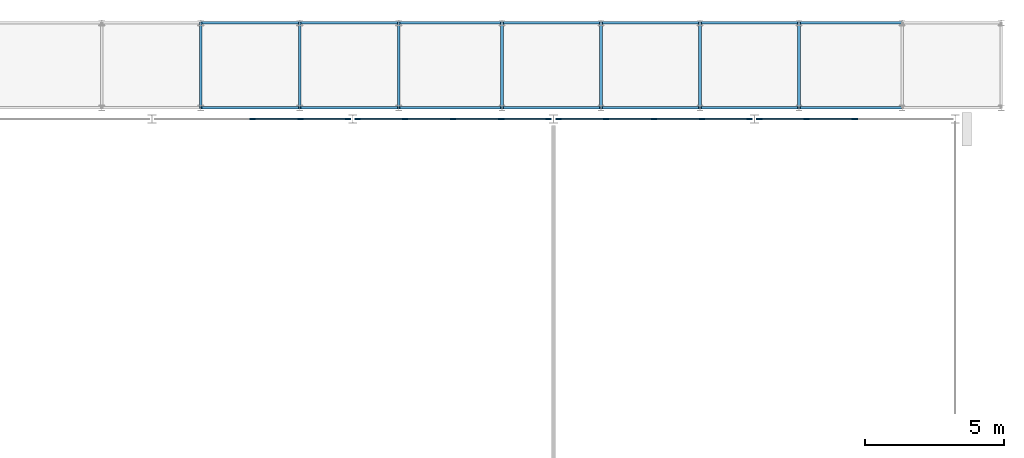
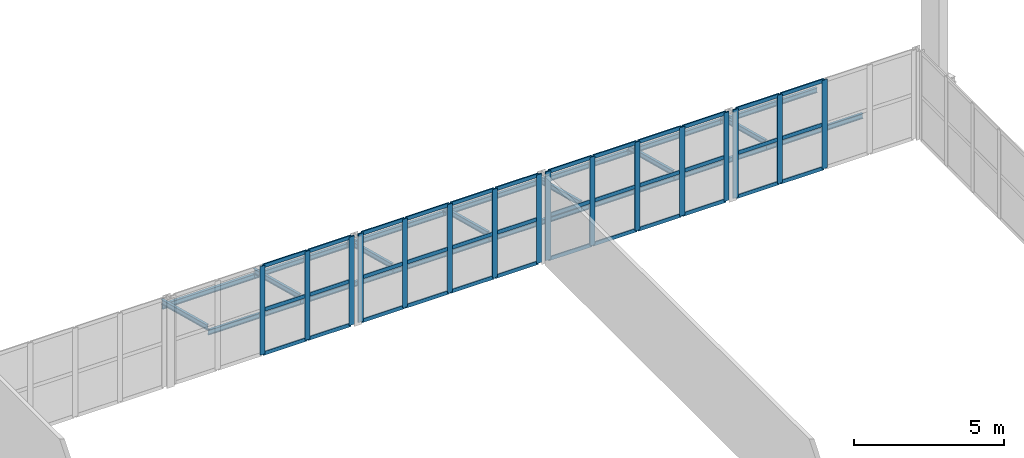
# One storey, part 51 of 124: 52 members, 21 beams, 4 elements without a shape of their own.
"""IFC4 building model written with IfcOpenShell, lengths in metres."""

from ifc_helpers import new_model, si_unit, direction, frame, origin, origin_2d, place, context, subcontext, project, spatial, rectangle, i_section, extrude, material, material_profile, profile_set, type_object, element, aggregate, save


model = new_model("IFC4")

# Units and contexts
model_context = context("Model", 3, precision=1e-05, world=origin(), true_north=direction((0.0, 1.0)))
body_context = subcontext(model_context, "Body", "Model", "MODEL_VIEW")
ifc_project = project(units=[si_unit("LENGTHUNIT", "METRE"), si_unit("AREAUNIT", "SQUARE_METRE"), si_unit("VOLUMEUNIT", "CUBIC_METRE"), si_unit("PLANEANGLEUNIT", "RADIAN"), si_unit("MASSUNIT", "GRAM", prefix="KILO")], contexts=[model_context])

# Site, building, storey
site_placement = place(None, origin())
site = spatial("IfcSite", under=ifc_project, at=site_placement, CompositionType="ELEMENT")
building_placement = place(site_placement, origin())
building = spatial("IfcBuilding", under=site, at=building_placement, Name="Kupolbacken Congress Centre", CompositionType="ELEMENT")
storey_placement = place(building_placement, frame((0.0, 0.0, 10.800048828125)))
storey = spatial("IfcBuildingStorey", under=building, at=storey_placement, Name="L03", CompositionType="ELEMENT", Elevation=10.800048828125)

# Beams
ifc_material_1 = material(Name="Steel S355", Category="steel")
ifc_material_profile_1 = material_profile(ifc_material_1, i_section(OverallWidth=0.10009765625, OverallDepth=0.199951171875, WebThickness=0.005615234375, FlangeThickness=0.008544921875, FilletRadius=0.011962890625, at=origin_2d()), Name="IPE 200")
ifc_profile_set_1 = profile_set([ifc_material_profile_1], Name="Steel S355")
beam_type = type_object("IfcBeamType", Name="B01 beam IPE 200", PredefinedType="BEAM", material=ifc_profile_set_1)
for number, where, z_axis, x_axis, name in (
    (1, (174.550048828125, 151.60009765625, 1.300048828125), (1.0, 0.0, 0.0), (0.0, 1.0, 0.0), "Covered passage eaves beam"),
    (2, (174.550048828125, 154.64990234375, 0.5), (1.0, 0.0, 0.0), (0.0, 1.0, 0.0), "Covered passage eaves beam"),
):
    element("IfcBeam", number, at=place(storey_placement, frame(where, z_axis=z_axis, x_axis=x_axis)), inside=storey, type_object=beam_type, Name=name, PredefinedType="BEAM", context=body_context, shape_type="SweptSolid", body=[
        extrude(i_section(OverallWidth=0.10009765625, OverallDepth=0.199951171875, WebThickness=0.005615234375, FlangeThickness=0.008544921875, FilletRadius=0.011962890625, at=origin_2d()), origin(), (0.0, 0.0, 1.0), 3.550048828125),
    ])
for number, where, z_axis, x_axis, name in (
    (3, (178.10009765625, 151.60009765625, 1.300048828125), (1.0, 0.0, 0.0), (0.0, 1.0, 0.0), "Covered passage eaves beam"),
    (4, (178.10009765625, 154.64990234375, 0.5), (1.0, 0.0, 0.0), (0.0, 1.0, 0.0), "Covered passage eaves beam"),
):
    element("IfcBeam", number, at=place(storey_placement, frame(where, z_axis=z_axis, x_axis=x_axis)), inside=storey, type_object=beam_type, Name=name, PredefinedType="BEAM", context=body_context, shape_type="SweptSolid", body=[
        extrude(i_section(OverallWidth=0.10009765625, OverallDepth=0.199951171875, WebThickness=0.005615234375, FlangeThickness=0.008544921875, FilletRadius=0.011962890625, at=origin_2d()), origin(), (0.0, 0.0, 1.0), 3.5498046875),
    ])
for number, where, z_axis, x_axis, name in (
    (5, (181.64990234375, 151.60009765625, 1.300048828125), (1.0, 0.0, 0.0), (0.0, 1.0, 0.0), "Covered passage eaves beam"),
    (6, (181.64990234375, 154.64990234375, 0.5), (1.0, 0.0, 0.0), (0.0, 1.0, 0.0), "Covered passage eaves beam"),
):
    element("IfcBeam", number, at=place(storey_placement, frame(where, z_axis=z_axis, x_axis=x_axis)), inside=storey, type_object=beam_type, Name=name, PredefinedType="BEAM", context=body_context, shape_type="SweptSolid", body=[
        extrude(i_section(OverallWidth=0.10009765625, OverallDepth=0.199951171875, WebThickness=0.005615234375, FlangeThickness=0.008544921875, FilletRadius=0.011962890625, at=origin_2d()), origin(), (0.0, 0.0, 1.0), 3.7001953125),
    ])
for number, where, z_axis, x_axis, name in (
    (7, (185.35009765625, 151.60009765625, 1.300048828125), (1.0, 0.0, 0.0), (0.0, 1.0, 0.0), "Covered passage eaves beam"),
    (8, (185.35009765625, 154.64990234375, 0.5), (1.0, 0.0, 0.0), (0.0, 1.0, 0.0), "Covered passage eaves beam"),
):
    element("IfcBeam", number, at=place(storey_placement, frame(where, z_axis=z_axis, x_axis=x_axis)), inside=storey, type_object=beam_type, Name=name, PredefinedType="BEAM", context=body_context, shape_type="SweptSolid", body=[
        extrude(i_section(OverallWidth=0.10009765625, OverallDepth=0.199951171875, WebThickness=0.005615234375, FlangeThickness=0.008544921875, FilletRadius=0.011962890625, at=origin_2d()), origin(), (0.0, 0.0, 1.0), 3.5498046875),
    ])
for number, where, z_axis, x_axis, name in (
    (9, (188.89990234375, 151.60009765625, 1.300048828125), (1.0, 0.0, 0.0), (0.0, 1.0, 0.0), "Covered passage eaves beam"),
    (10, (188.89990234375, 154.64990234375, 0.5), (1.0, 0.0, 0.0), (0.0, 1.0, 0.0), "Covered passage eaves beam"),
    (11, (192.449951171875, 151.60009765625, 1.300048828125), (1.0, 0.0, 0.0), (0.0, 1.0, 0.0), "Covered passage eaves beam"),
    (12, (192.449951171875, 154.64990234375, 0.5), (1.0, 0.0, 0.0), (0.0, 1.0, 0.0), "Covered passage eaves beam"),
):
    element("IfcBeam", number, at=place(storey_placement, frame(where, z_axis=z_axis, x_axis=x_axis)), inside=storey, type_object=beam_type, Name=name, PredefinedType="BEAM", context=body_context, shape_type="SweptSolid", body=[
        extrude(i_section(OverallWidth=0.10009765625, OverallDepth=0.199951171875, WebThickness=0.005615234375, FlangeThickness=0.008544921875, FilletRadius=0.011962890625, at=origin_2d()), origin(), (0.0, 0.0, 1.0), 3.550048828125),
    ])
for number, where, z_axis, x_axis, name in (
    (13, (196.0, 151.60009765625, 1.300048828125), (1.0, 0.0, 0.0), (0.0, 1.0, 0.0), "Covered passage eaves beam"),
    (14, (196.0, 154.64990234375, 0.5), (1.0, 0.0, 0.0), (0.0, 1.0, 0.0), "Covered passage eaves beam"),
):
    element("IfcBeam", number, at=place(storey_placement, frame(where, z_axis=z_axis, x_axis=x_axis)), inside=storey, type_object=beam_type, Name=name, PredefinedType="BEAM", context=body_context, shape_type="SweptSolid", body=[
        extrude(i_section(OverallWidth=0.10009765625, OverallDepth=0.199951171875, WebThickness=0.005615234375, FlangeThickness=0.008544921875, FilletRadius=0.011962890625, at=origin_2d()), origin(), (0.0, 0.0, 1.0), 3.699951171875),
    ])
for number, where, z_axis, x_axis, name in (
    (15, (174.550048828125, 151.60009765625, 1.5), (0.0, 0.967271836025, -0.253742379655), (-1.0, 0.0, 0.0), "Covered passage rafter"),
    (16, (178.10009765625, 151.60009765625, 1.5), (0.0, 0.967271836025, -0.253742379655), (-1.0, 0.0, 0.0), "Covered passage rafter"),
    (17, (181.64990234375, 151.60009765625, 1.5), (0.0, 0.967271836025, -0.253742379655), (-1.0, 0.0, 0.0), "Covered passage rafter"),
    (18, (185.35009765625, 151.60009765625, 1.5), (0.0, 0.967271836025, -0.253742379655), (-1.0, 0.0, 0.0), "Covered passage rafter"),
    (19, (188.89990234375, 151.60009765625, 1.5), (0.0, 0.967271836025, -0.253742379655), (-1.0, 0.0, 0.0), "Covered passage rafter"),
    (20, (192.449951171875, 151.60009765625, 1.5), (0.0, 0.967271836025, -0.253742379655), (-1.0, 0.0, 0.0), "Covered passage rafter"),
    (21, (196.0, 151.60009765625, 1.5), (0.0, 0.967271836025, -0.253742379655), (-1.0, 0.0, 0.0), "Covered passage rafter"),
):
    element("IfcBeam", number, at=place(storey_placement, frame(where, z_axis=z_axis, x_axis=x_axis)), inside=storey, type_object=beam_type, Name=name, PredefinedType="BEAM", context=body_context, shape_type="SweptSolid", body=[
        extrude(i_section(OverallWidth=0.10009765625, OverallDepth=0.199951171875, WebThickness=0.005615234375, FlangeThickness=0.008544921875, FilletRadius=0.011962890625, at=origin_2d()), origin(), (0.0, 0.0, 1.0), 3.153076171875),
    ])

# Curtain wall, members
ifc_material_2 = material(Name="Aluminium mullion-transom frame with glass", Category="aluminium")
curtain_wall_type = type_object("IfcCurtainWallType", Name="CW1 curtain wall 7200x3600", PredefinedType="NOTDEFINED", material=ifc_material_2)
curtain_wall_1_placement = place(storey_placement, origin())
curtain_wall_1 = element("IfcCurtainWall", 22, at=curtain_wall_1_placement, inside=storey, type_object=curtain_wall_type, Name="E/B/N/L03/301", PredefinedType="NOTDEFINED")
ifc_material_3 = material(Name="Aluminium alloy", Category="aluminium")
ifc_material_profile_2 = material_profile(ifc_material_3, rectangle(XDim=0.050048828125, YDim=0.199951171875, at=origin_2d()), Name="50 x 200")
ifc_profile_set_2 = profile_set([ifc_material_profile_2], Name="Aluminium alloy")
member_type_1 = type_object("IfcMemberType", Name="MU2 mullion 50x200", PredefinedType="MULLION", material=ifc_profile_set_2)
member_1_placement = place(storey_placement, frame((198.0, 151.199951171875, 0.0), z_axis=(0.0, 0.0, 1.0), x_axis=(0.0, -1.0, 0.0)))
member_1 = element("IfcMember", 23, at=member_1_placement, type_object=member_type_1, Name="CW1 mullion 3", PredefinedType="MULLION", context=body_context, shape_type="SweptSolid", body=[
    extrude(rectangle(XDim=0.050048828125, YDim=0.199951171875, at=origin_2d()), origin(), (0.0, 0.0, 1.0), 3.599853515625),
])
member_2_placement = place(storey_placement, frame((196.27490234375, 151.199951171875, 0.0), z_axis=(0.0, 0.0, 1.0), x_axis=(0.0, -1.0, 0.0)))
member_2 = element("IfcMember", 24, at=member_2_placement, type_object=member_type_1, Name="CW1 mullion 4", PredefinedType="MULLION", context=body_context, shape_type="SweptSolid", body=[
    extrude(rectangle(XDim=0.050048828125, YDim=0.199951171875, at=origin_2d()), origin(), (0.0, 0.0, 1.0), 3.599853515625),
])
member_3_placement = place(storey_placement, frame((194.574951171875, 151.199951171875, 0.0), z_axis=(0.0, 0.0, 1.0), x_axis=(0.0, -1.0, 0.0)))
member_3 = element("IfcMember", 25, at=member_3_placement, type_object=member_type_1, Name="CW1 mullion 5", PredefinedType="MULLION", context=body_context, shape_type="SweptSolid", body=[
    extrude(rectangle(XDim=0.050048828125, YDim=0.199951171875, at=origin_2d()), origin(), (0.0, 0.0, 1.0), 3.599853515625),
])

curtain_wall_2_placement = place(storey_placement, origin())
curtain_wall_2 = element("IfcCurtainWall", 26, at=curtain_wall_2_placement, inside=storey, type_object=curtain_wall_type, Name="E/B/N/L03/302", PredefinedType="NOTDEFINED")
member_4_placement = place(storey_placement, frame((194.22509765625, 151.199951171875, 0.0), z_axis=(0.0, 0.0, 1.0), x_axis=(0.0, -1.0, 0.0)))
member_4 = element("IfcMember", 27, at=member_4_placement, type_object=member_type_1, Name="CW1 mullion 1", PredefinedType="MULLION", context=body_context, shape_type="SweptSolid", body=[
    extrude(rectangle(XDim=0.050048828125, YDim=0.199951171875, at=origin_2d()), origin(), (0.0, 0.0, 1.0), 3.599853515625),
])
member_5_placement = place(storey_placement, frame((192.52490234375, 151.199951171875, 0.0), z_axis=(0.0, 0.0, 1.0), x_axis=(0.0, -1.0, 0.0)))
member_5 = element("IfcMember", 28, at=member_5_placement, type_object=member_type_1, Name="CW1 mullion 2", PredefinedType="MULLION", context=body_context, shape_type="SweptSolid", body=[
    extrude(rectangle(XDim=0.050048828125, YDim=0.199951171875, at=origin_2d()), origin(), (0.0, 0.0, 1.0), 3.599853515625),
])
member_6_placement = place(storey_placement, frame((190.800048828125, 151.199951171875, 0.0), z_axis=(0.0, 0.0, 1.0), x_axis=(0.0, -1.0, 0.0)))
member_6 = element("IfcMember", 29, at=member_6_placement, type_object=member_type_1, Name="CW1 mullion 3", PredefinedType="MULLION", context=body_context, shape_type="SweptSolid", body=[
    extrude(rectangle(XDim=0.050048828125, YDim=0.199951171875, at=origin_2d()), origin(), (0.0, 0.0, 1.0), 3.599853515625),
])
member_7_placement = place(storey_placement, frame((189.074951171875, 151.199951171875, 0.0), z_axis=(0.0, 0.0, 1.0), x_axis=(0.0, -1.0, 0.0)))
member_7 = element("IfcMember", 30, at=member_7_placement, type_object=member_type_1, Name="CW1 mullion 4", PredefinedType="MULLION", context=body_context, shape_type="SweptSolid", body=[
    extrude(rectangle(XDim=0.050048828125, YDim=0.199951171875, at=origin_2d()), origin(), (0.0, 0.0, 1.0), 3.599853515625),
])
member_8_placement = place(storey_placement, frame((187.375, 151.199951171875, 0.0), z_axis=(0.0, 0.0, 1.0), x_axis=(0.0, -1.0, 0.0)))
member_8 = element("IfcMember", 31, at=member_8_placement, type_object=member_type_1, Name="CW1 mullion 5", PredefinedType="MULLION", context=body_context, shape_type="SweptSolid", body=[
    extrude(rectangle(XDim=0.050048828125, YDim=0.199951171875, at=origin_2d()), origin(), (0.0, 0.0, 1.0), 3.599853515625),
])

curtain_wall_3_placement = place(storey_placement, origin())
curtain_wall_3 = element("IfcCurtainWall", 32, at=curtain_wall_3_placement, inside=storey, type_object=curtain_wall_type, Name="E/B/N/L03/303", PredefinedType="NOTDEFINED")
member_9_placement = place(storey_placement, frame((187.02490234375, 151.199951171875, 0.0), z_axis=(0.0, 0.0, 1.0), x_axis=(0.0, -1.0, 0.0)))
member_9 = element("IfcMember", 33, at=member_9_placement, type_object=member_type_1, Name="CW1 mullion 1", PredefinedType="MULLION", context=body_context, shape_type="SweptSolid", body=[
    extrude(rectangle(XDim=0.050048828125, YDim=0.199951171875, at=origin_2d()), origin(), (0.0, 0.0, 1.0), 3.599853515625),
])
member_10_placement = place(storey_placement, frame((185.324951171875, 151.199951171875, 0.0), z_axis=(0.0, 0.0, 1.0), x_axis=(0.0, -1.0, 0.0)))
member_10 = element("IfcMember", 34, at=member_10_placement, type_object=member_type_1, Name="CW1 mullion 2", PredefinedType="MULLION", context=body_context, shape_type="SweptSolid", body=[
    extrude(rectangle(XDim=0.050048828125, YDim=0.199951171875, at=origin_2d()), origin(), (0.0, 0.0, 1.0), 3.599853515625),
])
member_11_placement = place(storey_placement, frame((183.60009765625, 151.199951171875, 0.0), z_axis=(0.0, 0.0, 1.0), x_axis=(0.0, -1.0, 0.0)))
member_11 = element("IfcMember", 35, at=member_11_placement, type_object=member_type_1, Name="CW1 mullion 3", PredefinedType="MULLION", context=body_context, shape_type="SweptSolid", body=[
    extrude(rectangle(XDim=0.050048828125, YDim=0.199951171875, at=origin_2d()), origin(), (0.0, 0.0, 1.0), 3.599853515625),
])
member_12_placement = place(storey_placement, frame((181.875, 151.199951171875, 0.0), z_axis=(0.0, 0.0, 1.0), x_axis=(0.0, -1.0, 0.0)))
member_12 = element("IfcMember", 36, at=member_12_placement, type_object=member_type_1, Name="CW1 mullion 4", PredefinedType="MULLION", context=body_context, shape_type="SweptSolid", body=[
    extrude(rectangle(XDim=0.050048828125, YDim=0.199951171875, at=origin_2d()), origin(), (0.0, 0.0, 1.0), 3.599853515625),
])
member_13_placement = place(storey_placement, frame((180.175048828125, 151.199951171875, 0.0), z_axis=(0.0, 0.0, 1.0), x_axis=(0.0, -1.0, 0.0)))
member_13 = element("IfcMember", 37, at=member_13_placement, type_object=member_type_1, Name="CW1 mullion 5", PredefinedType="MULLION", context=body_context, shape_type="SweptSolid", body=[
    extrude(rectangle(XDim=0.050048828125, YDim=0.199951171875, at=origin_2d()), origin(), (0.0, 0.0, 1.0), 3.599853515625),
])

curtain_wall_4_placement = place(storey_placement, origin())
curtain_wall_4 = element("IfcCurtainWall", 38, at=curtain_wall_4_placement, inside=storey, type_object=curtain_wall_type, Name="E/B/N/L03/304", PredefinedType="NOTDEFINED")
member_14_placement = place(storey_placement, frame((179.824951171875, 151.199951171875, 0.0), z_axis=(0.0, 0.0, 1.0), x_axis=(0.0, -1.0, 0.0)))
member_14 = element("IfcMember", 39, at=member_14_placement, type_object=member_type_1, Name="CW1 mullion 1", PredefinedType="MULLION", context=body_context, shape_type="SweptSolid", body=[
    extrude(rectangle(XDim=0.050048828125, YDim=0.199951171875, at=origin_2d()), origin(), (0.0, 0.0, 1.0), 3.599853515625),
])
member_15_placement = place(storey_placement, frame((178.125, 151.199951171875, 0.0), z_axis=(0.0, 0.0, 1.0), x_axis=(0.0, -1.0, 0.0)))
member_15 = element("IfcMember", 40, at=member_15_placement, type_object=member_type_1, Name="CW1 mullion 2", PredefinedType="MULLION", context=body_context, shape_type="SweptSolid", body=[
    extrude(rectangle(XDim=0.050048828125, YDim=0.199951171875, at=origin_2d()), origin(), (0.0, 0.0, 1.0), 3.599853515625),
])
member_16_placement = place(storey_placement, frame((176.39990234375, 151.199951171875, 0.0), z_axis=(0.0, 0.0, 1.0), x_axis=(0.0, -1.0, 0.0)))
member_16 = element("IfcMember", 41, at=member_16_placement, type_object=member_type_1, Name="CW1 mullion 3", PredefinedType="MULLION", context=body_context, shape_type="SweptSolid", body=[
    extrude(rectangle(XDim=0.050048828125, YDim=0.199951171875, at=origin_2d()), origin(), (0.0, 0.0, 1.0), 3.599853515625),
])

# Member
ifc_material_4 = material(Name="Aluminium alloy", Category="aluminium")
ifc_material_profile_3 = material_profile(ifc_material_4, rectangle(XDim=0.050048828125, YDim=0.14990234375, at=origin_2d()), Name="50 x 150")
ifc_profile_set_3 = profile_set([ifc_material_profile_3], Name="Aluminium alloy")
member_type_2 = type_object("IfcMemberType", Name="TR2 transom 50x150", PredefinedType="MULLION", material=ifc_profile_set_3)
member_17_placement = place(storey_placement, frame((197.97509765625, 151.199951171875, 0.02490234375), z_axis=(-1.0, 0.0, 0.0), x_axis=(0.0, -1.0, 0.0)))
member_17 = element("IfcMember", 42, at=member_17_placement, type_object=member_type_2, Name="CW1 transom 3.1", PredefinedType="MULLION", context=body_context, shape_type="SweptSolid", body=[
    extrude(rectangle(XDim=0.050048828125, YDim=0.14990234375, at=origin_2d()), origin(), (0.0, 0.0, 1.0), 1.675048828125),
])

member_18_placement = place(storey_placement, frame((197.97509765625, 151.199951171875, 1.800048828125), z_axis=(-1.0, 0.0, 0.0), x_axis=(0.0, -1.0, 0.0)))
member_18 = element("IfcMember", 43, at=member_18_placement, type_object=member_type_2, Name="CW1 transom 3.2", PredefinedType="MULLION", context=body_context, shape_type="SweptSolid", body=[
    extrude(rectangle(XDim=0.050048828125, YDim=0.14990234375, at=origin_2d()), origin(), (0.0, 0.0, 1.0), 1.675048828125),
])

member_19_placement = place(storey_placement, frame((197.97509765625, 151.199951171875, 3.574951171875), z_axis=(-1.0, 0.0, 0.0), x_axis=(0.0, -1.0, 0.0)))
member_19 = element("IfcMember", 44, at=member_19_placement, type_object=member_type_2, Name="CW1 transom 3.3", PredefinedType="MULLION", context=body_context, shape_type="SweptSolid", body=[
    extrude(rectangle(XDim=0.050048828125, YDim=0.14990234375, at=origin_2d()), origin(), (0.0, 0.0, 1.0), 1.675048828125),
])

member_20_placement = place(storey_placement, frame((196.25, 151.199951171875, 0.02490234375), z_axis=(-1.0, 0.0, 0.0), x_axis=(0.0, -1.0, 0.0)))
member_20 = element("IfcMember", 45, at=member_20_placement, type_object=member_type_2, Name="CW1 transom 4.1", PredefinedType="MULLION", context=body_context, shape_type="SweptSolid", body=[
    extrude(rectangle(XDim=0.050048828125, YDim=0.14990234375, at=origin_2d()), origin(), (0.0, 0.0, 1.0), 1.64990234375),
])

member_21_placement = place(storey_placement, frame((196.25, 151.199951171875, 1.800048828125), z_axis=(-1.0, 0.0, 0.0), x_axis=(0.0, -1.0, 0.0)))
member_21 = element("IfcMember", 46, at=member_21_placement, type_object=member_type_2, Name="CW1 transom 4.2", PredefinedType="MULLION", context=body_context, shape_type="SweptSolid", body=[
    extrude(rectangle(XDim=0.050048828125, YDim=0.14990234375, at=origin_2d()), origin(), (0.0, 0.0, 1.0), 1.64990234375),
])

member_22_placement = place(storey_placement, frame((196.25, 151.199951171875, 3.574951171875), z_axis=(-1.0, 0.0, 0.0), x_axis=(0.0, -1.0, 0.0)))
member_22 = element("IfcMember", 47, at=member_22_placement, type_object=member_type_2, Name="CW1 transom 4.3", PredefinedType="MULLION", context=body_context, shape_type="SweptSolid", body=[
    extrude(rectangle(XDim=0.050048828125, YDim=0.14990234375, at=origin_2d()), origin(), (0.0, 0.0, 1.0), 1.64990234375),
])

aggregate(curtain_wall_1, [member_1, member_2, member_3, member_17, member_18, member_19, member_20, member_21, member_22])

member_23_placement = place(storey_placement, frame((194.199951171875, 151.199951171875, 0.02490234375), z_axis=(-1.0, 0.0, 0.0), x_axis=(0.0, -1.0, 0.0)))
member_23 = element("IfcMember", 48, at=member_23_placement, type_object=member_type_2, Name="CW1 transom 1.1", PredefinedType="MULLION", context=body_context, shape_type="SweptSolid", body=[
    extrude(rectangle(XDim=0.050048828125, YDim=0.14990234375, at=origin_2d()), origin(), (0.0, 0.0, 1.0), 1.64990234375),
])

member_24_placement = place(storey_placement, frame((194.199951171875, 151.199951171875, 1.800048828125), z_axis=(-1.0, 0.0, 0.0), x_axis=(0.0, -1.0, 0.0)))
member_24 = element("IfcMember", 49, at=member_24_placement, type_object=member_type_2, Name="CW1 transom 1.2", PredefinedType="MULLION", context=body_context, shape_type="SweptSolid", body=[
    extrude(rectangle(XDim=0.050048828125, YDim=0.14990234375, at=origin_2d()), origin(), (0.0, 0.0, 1.0), 1.64990234375),
])

member_25_placement = place(storey_placement, frame((194.199951171875, 151.199951171875, 3.574951171875), z_axis=(-1.0, 0.0, 0.0), x_axis=(0.0, -1.0, 0.0)))
member_25 = element("IfcMember", 50, at=member_25_placement, type_object=member_type_2, Name="CW1 transom 1.3", PredefinedType="MULLION", context=body_context, shape_type="SweptSolid", body=[
    extrude(rectangle(XDim=0.050048828125, YDim=0.14990234375, at=origin_2d()), origin(), (0.0, 0.0, 1.0), 1.64990234375),
])

member_26_placement = place(storey_placement, frame((192.5, 151.199951171875, 0.02490234375), z_axis=(-1.0, 0.0, 0.0), x_axis=(0.0, -1.0, 0.0)))
member_26 = element("IfcMember", 51, at=member_26_placement, type_object=member_type_2, Name="CW1 transom 2.1", PredefinedType="MULLION", context=body_context, shape_type="SweptSolid", body=[
    extrude(rectangle(XDim=0.050048828125, YDim=0.14990234375, at=origin_2d()), origin(), (0.0, 0.0, 1.0), 1.675048828125),
])

member_27_placement = place(storey_placement, frame((192.5, 151.199951171875, 1.800048828125), z_axis=(-1.0, 0.0, 0.0), x_axis=(0.0, -1.0, 0.0)))
member_27 = element("IfcMember", 52, at=member_27_placement, type_object=member_type_2, Name="CW1 transom 2.2", PredefinedType="MULLION", context=body_context, shape_type="SweptSolid", body=[
    extrude(rectangle(XDim=0.050048828125, YDim=0.14990234375, at=origin_2d()), origin(), (0.0, 0.0, 1.0), 1.675048828125),
])

member_28_placement = place(storey_placement, frame((192.5, 151.199951171875, 3.574951171875), z_axis=(-1.0, 0.0, 0.0), x_axis=(0.0, -1.0, 0.0)))
member_28 = element("IfcMember", 53, at=member_28_placement, type_object=member_type_2, Name="CW1 transom 2.3", PredefinedType="MULLION", context=body_context, shape_type="SweptSolid", body=[
    extrude(rectangle(XDim=0.050048828125, YDim=0.14990234375, at=origin_2d()), origin(), (0.0, 0.0, 1.0), 1.675048828125),
])

member_29_placement = place(storey_placement, frame((190.77490234375, 151.199951171875, 0.02490234375), z_axis=(-1.0, 0.0, 0.0), x_axis=(0.0, -1.0, 0.0)))
member_29 = element("IfcMember", 54, at=member_29_placement, type_object=member_type_2, Name="CW1 transom 3.1", PredefinedType="MULLION", context=body_context, shape_type="SweptSolid", body=[
    extrude(rectangle(XDim=0.050048828125, YDim=0.14990234375, at=origin_2d()), origin(), (0.0, 0.0, 1.0), 1.6748046875),
])

member_30_placement = place(storey_placement, frame((190.77490234375, 151.199951171875, 1.800048828125), z_axis=(-1.0, 0.0, 0.0), x_axis=(0.0, -1.0, 0.0)))
member_30 = element("IfcMember", 55, at=member_30_placement, type_object=member_type_2, Name="CW1 transom 3.2", PredefinedType="MULLION", context=body_context, shape_type="SweptSolid", body=[
    extrude(rectangle(XDim=0.050048828125, YDim=0.14990234375, at=origin_2d()), origin(), (0.0, 0.0, 1.0), 1.6748046875),
])

member_31_placement = place(storey_placement, frame((190.77490234375, 151.199951171875, 3.574951171875), z_axis=(-1.0, 0.0, 0.0), x_axis=(0.0, -1.0, 0.0)))
member_31 = element("IfcMember", 56, at=member_31_placement, type_object=member_type_2, Name="CW1 transom 3.3", PredefinedType="MULLION", context=body_context, shape_type="SweptSolid", body=[
    extrude(rectangle(XDim=0.050048828125, YDim=0.14990234375, at=origin_2d()), origin(), (0.0, 0.0, 1.0), 1.6748046875),
])

member_32_placement = place(storey_placement, frame((189.050048828125, 151.199951171875, 0.02490234375), z_axis=(-1.0, 0.0, 0.0), x_axis=(0.0, -1.0, 0.0)))
member_32 = element("IfcMember", 57, at=member_32_placement, type_object=member_type_2, Name="CW1 transom 4.1", PredefinedType="MULLION", context=body_context, shape_type="SweptSolid", body=[
    extrude(rectangle(XDim=0.050048828125, YDim=0.14990234375, at=origin_2d()), origin(), (0.0, 0.0, 1.0), 1.650146484375),
])

member_33_placement = place(storey_placement, frame((189.050048828125, 151.199951171875, 1.800048828125), z_axis=(-1.0, 0.0, 0.0), x_axis=(0.0, -1.0, 0.0)))
member_33 = element("IfcMember", 58, at=member_33_placement, type_object=member_type_2, Name="CW1 transom 4.2", PredefinedType="MULLION", context=body_context, shape_type="SweptSolid", body=[
    extrude(rectangle(XDim=0.050048828125, YDim=0.14990234375, at=origin_2d()), origin(), (0.0, 0.0, 1.0), 1.650146484375),
])

member_34_placement = place(storey_placement, frame((189.050048828125, 151.199951171875, 3.574951171875), z_axis=(-1.0, 0.0, 0.0), x_axis=(0.0, -1.0, 0.0)))
member_34 = element("IfcMember", 59, at=member_34_placement, type_object=member_type_2, Name="CW1 transom 4.3", PredefinedType="MULLION", context=body_context, shape_type="SweptSolid", body=[
    extrude(rectangle(XDim=0.050048828125, YDim=0.14990234375, at=origin_2d()), origin(), (0.0, 0.0, 1.0), 1.650146484375),
])

aggregate(curtain_wall_2, [member_4, member_5, member_6, member_7, member_8, member_23, member_24, member_25, member_26, member_27, member_28, member_29, member_30, member_31, member_32, member_33, member_34])

member_35_placement = place(storey_placement, frame((187.0, 151.199951171875, 0.02490234375), z_axis=(-1.0, 0.0, 0.0), x_axis=(0.0, -1.0, 0.0)))
member_35 = element("IfcMember", 60, at=member_35_placement, type_object=member_type_2, Name="CW1 transom 1.1", PredefinedType="MULLION", context=body_context, shape_type="SweptSolid", body=[
    extrude(rectangle(XDim=0.050048828125, YDim=0.14990234375, at=origin_2d()), origin(), (0.0, 0.0, 1.0), 1.64990234375),
])

member_36_placement = place(storey_placement, frame((187.0, 151.199951171875, 1.800048828125), z_axis=(-1.0, 0.0, 0.0), x_axis=(0.0, -1.0, 0.0)))
member_36 = element("IfcMember", 61, at=member_36_placement, type_object=member_type_2, Name="CW1 transom 1.2", PredefinedType="MULLION", context=body_context, shape_type="SweptSolid", body=[
    extrude(rectangle(XDim=0.050048828125, YDim=0.14990234375, at=origin_2d()), origin(), (0.0, 0.0, 1.0), 1.64990234375),
])

member_37_placement = place(storey_placement, frame((187.0, 151.199951171875, 3.574951171875), z_axis=(-1.0, 0.0, 0.0), x_axis=(0.0, -1.0, 0.0)))
member_37 = element("IfcMember", 62, at=member_37_placement, type_object=member_type_2, Name="CW1 transom 1.3", PredefinedType="MULLION", context=body_context, shape_type="SweptSolid", body=[
    extrude(rectangle(XDim=0.050048828125, YDim=0.14990234375, at=origin_2d()), origin(), (0.0, 0.0, 1.0), 1.64990234375),
])

member_38_placement = place(storey_placement, frame((185.300048828125, 151.199951171875, 0.02490234375), z_axis=(-1.0, 0.0, 0.0), x_axis=(0.0, -1.0, 0.0)))
member_38 = element("IfcMember", 63, at=member_38_placement, type_object=member_type_2, Name="CW1 transom 2.1", PredefinedType="MULLION", context=body_context, shape_type="SweptSolid", body=[
    extrude(rectangle(XDim=0.050048828125, YDim=0.14990234375, at=origin_2d()), origin(), (0.0, 0.0, 1.0), 1.675048828125),
])

member_39_placement = place(storey_placement, frame((185.300048828125, 151.199951171875, 1.800048828125), z_axis=(-1.0, 0.0, 0.0), x_axis=(0.0, -1.0, 0.0)))
member_39 = element("IfcMember", 64, at=member_39_placement, type_object=member_type_2, Name="CW1 transom 2.2", PredefinedType="MULLION", context=body_context, shape_type="SweptSolid", body=[
    extrude(rectangle(XDim=0.050048828125, YDim=0.14990234375, at=origin_2d()), origin(), (0.0, 0.0, 1.0), 1.675048828125),
])

member_40_placement = place(storey_placement, frame((185.300048828125, 151.199951171875, 3.574951171875), z_axis=(-1.0, 0.0, 0.0), x_axis=(0.0, -1.0, 0.0)))
member_40 = element("IfcMember", 65, at=member_40_placement, type_object=member_type_2, Name="CW1 transom 2.3", PredefinedType="MULLION", context=body_context, shape_type="SweptSolid", body=[
    extrude(rectangle(XDim=0.050048828125, YDim=0.14990234375, at=origin_2d()), origin(), (0.0, 0.0, 1.0), 1.675048828125),
])

member_41_placement = place(storey_placement, frame((183.574951171875, 151.199951171875, 0.02490234375), z_axis=(-1.0, 0.0, 0.0), x_axis=(0.0, -1.0, 0.0)))
member_41 = element("IfcMember", 66, at=member_41_placement, type_object=member_type_2, Name="CW1 transom 3.1", PredefinedType="MULLION", context=body_context, shape_type="SweptSolid", body=[
    extrude(rectangle(XDim=0.050048828125, YDim=0.14990234375, at=origin_2d()), origin(), (0.0, 0.0, 1.0), 1.675048828125),
])

member_42_placement = place(storey_placement, frame((183.574951171875, 151.199951171875, 1.800048828125), z_axis=(-1.0, 0.0, 0.0), x_axis=(0.0, -1.0, 0.0)))
member_42 = element("IfcMember", 67, at=member_42_placement, type_object=member_type_2, Name="CW1 transom 3.2", PredefinedType="MULLION", context=body_context, shape_type="SweptSolid", body=[
    extrude(rectangle(XDim=0.050048828125, YDim=0.14990234375, at=origin_2d()), origin(), (0.0, 0.0, 1.0), 1.675048828125),
])

member_43_placement = place(storey_placement, frame((183.574951171875, 151.199951171875, 3.574951171875), z_axis=(-1.0, 0.0, 0.0), x_axis=(0.0, -1.0, 0.0)))
member_43 = element("IfcMember", 68, at=member_43_placement, type_object=member_type_2, Name="CW1 transom 3.3", PredefinedType="MULLION", context=body_context, shape_type="SweptSolid", body=[
    extrude(rectangle(XDim=0.050048828125, YDim=0.14990234375, at=origin_2d()), origin(), (0.0, 0.0, 1.0), 1.675048828125),
])

member_44_placement = place(storey_placement, frame((181.85009765625, 151.199951171875, 0.02490234375), z_axis=(-1.0, 0.0, 0.0), x_axis=(0.0, -1.0, 0.0)))
member_44 = element("IfcMember", 69, at=member_44_placement, type_object=member_type_2, Name="CW1 transom 4.1", PredefinedType="MULLION", context=body_context, shape_type="SweptSolid", body=[
    extrude(rectangle(XDim=0.050048828125, YDim=0.14990234375, at=origin_2d()), origin(), (0.0, 0.0, 1.0), 1.650146484375),
])

member_45_placement = place(storey_placement, frame((181.85009765625, 151.199951171875, 1.800048828125), z_axis=(-1.0, 0.0, 0.0), x_axis=(0.0, -1.0, 0.0)))
member_45 = element("IfcMember", 70, at=member_45_placement, type_object=member_type_2, Name="CW1 transom 4.2", PredefinedType="MULLION", context=body_context, shape_type="SweptSolid", body=[
    extrude(rectangle(XDim=0.050048828125, YDim=0.14990234375, at=origin_2d()), origin(), (0.0, 0.0, 1.0), 1.650146484375),
])

member_46_placement = place(storey_placement, frame((181.85009765625, 151.199951171875, 3.574951171875), z_axis=(-1.0, 0.0, 0.0), x_axis=(0.0, -1.0, 0.0)))
member_46 = element("IfcMember", 71, at=member_46_placement, type_object=member_type_2, Name="CW1 transom 4.3", PredefinedType="MULLION", context=body_context, shape_type="SweptSolid", body=[
    extrude(rectangle(XDim=0.050048828125, YDim=0.14990234375, at=origin_2d()), origin(), (0.0, 0.0, 1.0), 1.650146484375),
])

aggregate(curtain_wall_3, [member_9, member_10, member_11, member_12, member_13, member_35, member_36, member_37, member_38, member_39, member_40, member_41, member_42, member_43, member_44, member_45, member_46])

member_47_placement = place(storey_placement, frame((179.800048828125, 151.199951171875, 0.02490234375), z_axis=(-1.0, 0.0, 0.0), x_axis=(0.0, -1.0, 0.0)))
member_47 = element("IfcMember", 72, at=member_47_placement, type_object=member_type_2, Name="CW1 transom 1.1", PredefinedType="MULLION", context=body_context, shape_type="SweptSolid", body=[
    extrude(rectangle(XDim=0.050048828125, YDim=0.14990234375, at=origin_2d()), origin(), (0.0, 0.0, 1.0), 1.650146484375),
])

member_48_placement = place(storey_placement, frame((179.800048828125, 151.199951171875, 1.800048828125), z_axis=(-1.0, 0.0, 0.0), x_axis=(0.0, -1.0, 0.0)))
member_48 = element("IfcMember", 73, at=member_48_placement, type_object=member_type_2, Name="CW1 transom 1.2", PredefinedType="MULLION", context=body_context, shape_type="SweptSolid", body=[
    extrude(rectangle(XDim=0.050048828125, YDim=0.14990234375, at=origin_2d()), origin(), (0.0, 0.0, 1.0), 1.650146484375),
])

member_49_placement = place(storey_placement, frame((179.800048828125, 151.199951171875, 3.574951171875), z_axis=(-1.0, 0.0, 0.0), x_axis=(0.0, -1.0, 0.0)))
member_49 = element("IfcMember", 74, at=member_49_placement, type_object=member_type_2, Name="CW1 transom 1.3", PredefinedType="MULLION", context=body_context, shape_type="SweptSolid", body=[
    extrude(rectangle(XDim=0.050048828125, YDim=0.14990234375, at=origin_2d()), origin(), (0.0, 0.0, 1.0), 1.650146484375),
])

member_50_placement = place(storey_placement, frame((178.10009765625, 151.199951171875, 0.02490234375), z_axis=(-1.0, 0.0, 0.0), x_axis=(0.0, -1.0, 0.0)))
member_50 = element("IfcMember", 75, at=member_50_placement, type_object=member_type_2, Name="CW1 transom 2.1", PredefinedType="MULLION", context=body_context, shape_type="SweptSolid", body=[
    extrude(rectangle(XDim=0.050048828125, YDim=0.14990234375, at=origin_2d()), origin(), (0.0, 0.0, 1.0), 1.675048828125),
])

member_51_placement = place(storey_placement, frame((178.10009765625, 151.199951171875, 1.800048828125), z_axis=(-1.0, 0.0, 0.0), x_axis=(0.0, -1.0, 0.0)))
member_51 = element("IfcMember", 76, at=member_51_placement, type_object=member_type_2, Name="CW1 transom 2.2", PredefinedType="MULLION", context=body_context, shape_type="SweptSolid", body=[
    extrude(rectangle(XDim=0.050048828125, YDim=0.14990234375, at=origin_2d()), origin(), (0.0, 0.0, 1.0), 1.675048828125),
])

member_52_placement = place(storey_placement, frame((178.10009765625, 151.199951171875, 3.574951171875), z_axis=(-1.0, 0.0, 0.0), x_axis=(0.0, -1.0, 0.0)))
member_52 = element("IfcMember", 77, at=member_52_placement, type_object=member_type_2, Name="CW1 transom 2.3", PredefinedType="MULLION", context=body_context, shape_type="SweptSolid", body=[
    extrude(rectangle(XDim=0.050048828125, YDim=0.14990234375, at=origin_2d()), origin(), (0.0, 0.0, 1.0), 1.675048828125),
])

aggregate(curtain_wall_4, [member_14, member_15, member_16, member_47, member_48, member_49, member_50, member_51, member_52])

save(model, "model.ifc")
